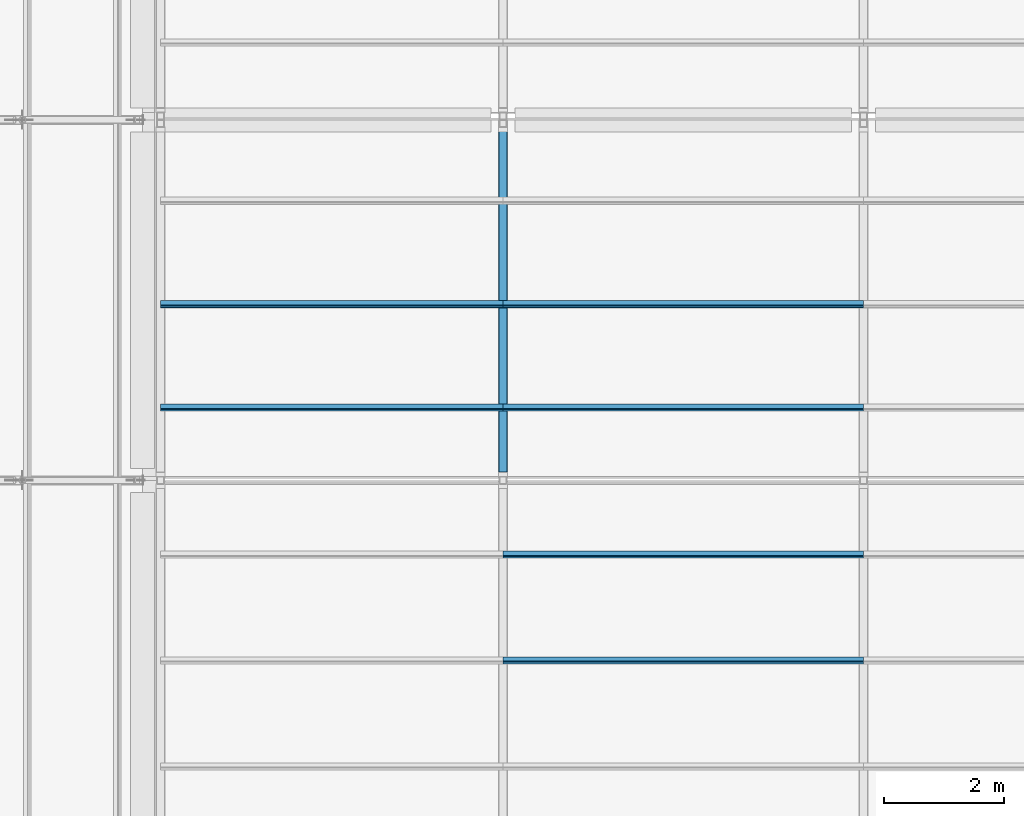
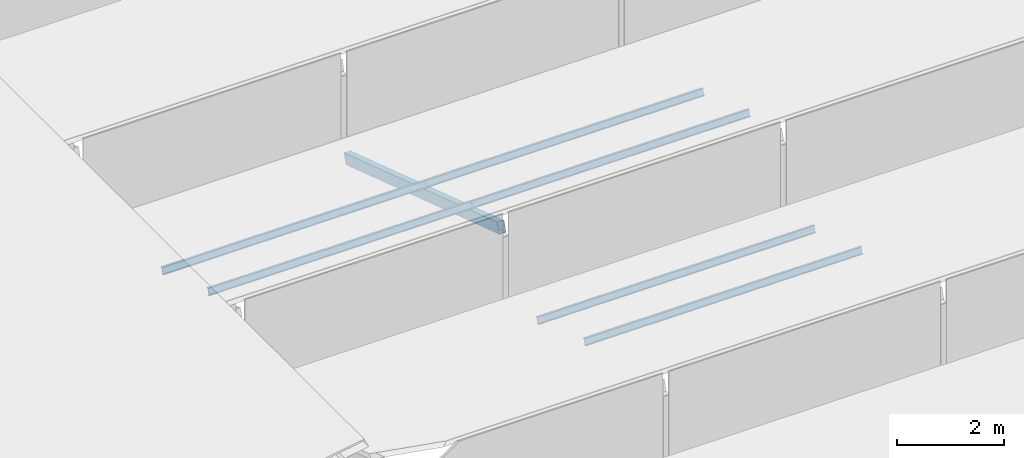
# One storey, part 6 of 118: 7 members.
"""IFC4 building model written with IfcOpenShell, lengths in metres."""

from ifc_helpers import new_model, si_unit, direction, frame, origin, origin_2d, place, context, subcontext, project, spatial, hollow_rectangle, i_section, extrude, material, material_profile, profile_set, type_object, element, save


model = new_model("IFC4")

# Units and contexts
model_context = context("Model", 3, precision=1e-05, world=origin(), true_north=direction((0.0, 1.0)))
body_context = subcontext(model_context, "Body", "Model", "MODEL_VIEW")
ifc_project = project(units=[si_unit("LENGTHUNIT", "METRE"), si_unit("AREAUNIT", "SQUARE_METRE"), si_unit("VOLUMEUNIT", "CUBIC_METRE"), si_unit("PLANEANGLEUNIT", "RADIAN"), si_unit("MASSUNIT", "GRAM", prefix="KILO")], contexts=[model_context])

# Site, building, storey
site_placement = place(None, origin())
site = spatial("IfcSite", under=ifc_project, at=site_placement, CompositionType="ELEMENT")
building_placement = place(site_placement, origin())
building = spatial("IfcBuilding", under=site, at=building_placement, Name="Saffron Lane Theatres", CompositionType="ELEMENT")
storey_placement = place(building_placement, frame((0.0, 0.0, 16.5)))
storey = spatial("IfcBuildingStorey", under=building, at=storey_placement, Name="L03", CompositionType="ELEMENT", Elevation=16.5)

# Members
ifc_material_1 = material(Name="Steel Grade 350", Category="steel")
ifc_material_profile_1 = material_profile(ifc_material_1, i_section(OverallWidth=0.074951171875, OverallDepth=0.155029296875, WebThickness=0.006103515625, FlangeThickness=0.009521484375, FilletRadius=0.008056640625, at=origin_2d()))
ifc_profile_set_1 = profile_set([ifc_material_profile_1], Name="Steel Grade 350")
member_type_1 = type_object("IfcMemberType", Name="ST-STUDIO PURLIN 150UB18.0", PredefinedType="PURLIN", material=ifc_profile_set_1)
for number, where, z_axis, x_axis, name in (
    (1, (12.0, 9.0, 2.01416015625), (1.0, 0.0, 0.0), (0.0, 0.949628648787, -0.313377455162), "GBU58"),
    (2, (12.0, 10.762451171875, 1.4326171875), (1.0, 0.0, 0.0), (0.0, 0.949628648787, -0.313377455162), "GBU62"),
):
    element("IfcMember", number, at=place(storey_placement, frame(where, z_axis=z_axis, x_axis=x_axis)), inside=storey, type_object=member_type_1, Name=name, PredefinedType="PURLIN", context=body_context, shape_type="SweptSolid", body=[
        extrude(i_section(OverallWidth=0.074951171875, OverallDepth=0.155029296875, WebThickness=0.006103515625, FlangeThickness=0.009521484375, FilletRadius=0.008056640625, at=origin_2d()), origin(), (0.0, 0.0, 1.0), 6.0),
    ])
member_1_placement = place(storey_placement, frame((6.300048828125, 13.2099609375, 2.60498046875), z_axis=(1.0, 0.0, 0.0), x_axis=(0.0, 0.949628648787, -0.313377455162)))
element("IfcMember", 3, at=member_1_placement, inside=storey, type_object=member_type_1, Name="GBU65", PredefinedType="PURLIN", context=body_context, shape_type="SweptSolid", body=[
    extrude(i_section(OverallWidth=0.074951171875, OverallDepth=0.155029296875, WebThickness=0.006103515625, FlangeThickness=0.009521484375, FilletRadius=0.008056640625, at=origin_2d()), origin(), (0.0, 0.0, 1.0), 5.699951171875),
])
member_2_placement = place(storey_placement, frame((12.0, 13.2099609375, 2.60498046875), z_axis=(1.0, 0.0, 0.0), x_axis=(0.0, 0.949628648787, -0.313377455162)))
element("IfcMember", 4, at=member_2_placement, inside=storey, type_object=member_type_1, Name="GBU66", PredefinedType="PURLIN", context=body_context, shape_type="SweptSolid", body=[
    extrude(i_section(OverallWidth=0.074951171875, OverallDepth=0.155029296875, WebThickness=0.006103515625, FlangeThickness=0.009521484375, FilletRadius=0.008056640625, at=origin_2d()), origin(), (0.0, 0.0, 1.0), 6.0),
])
member_3_placement = place(storey_placement, frame((6.300048828125, 14.93115234375, 2.036865234375), z_axis=(1.0, 0.0, 0.0), x_axis=(0.0, 0.949628648787, -0.313377455162)))
element("IfcMember", 5, at=member_3_placement, inside=storey, type_object=member_type_1, Name="GBU69", PredefinedType="PURLIN", context=body_context, shape_type="SweptSolid", body=[
    extrude(i_section(OverallWidth=0.074951171875, OverallDepth=0.155029296875, WebThickness=0.006103515625, FlangeThickness=0.009521484375, FilletRadius=0.008056640625, at=origin_2d()), origin(), (0.0, 0.0, 1.0), 5.699951171875),
])
member_4_placement = place(storey_placement, frame((12.0, 14.93115234375, 2.036865234375), z_axis=(1.0, 0.0, 0.0), x_axis=(0.0, 0.949628648787, -0.313377455162)))
element("IfcMember", 6, at=member_4_placement, inside=storey, type_object=member_type_1, Name="GBU70", PredefinedType="PURLIN", context=body_context, shape_type="SweptSolid", body=[
    extrude(i_section(OverallWidth=0.074951171875, OverallDepth=0.155029296875, WebThickness=0.006103515625, FlangeThickness=0.009521484375, FilletRadius=0.008056640625, at=origin_2d()), origin(), (0.0, 0.0, 1.0), 6.0),
])
ifc_material_2 = material(Name="Steel Grade 350", Category="steel")
ifc_material_profile_2 = material_profile(ifc_material_2, hollow_rectangle(XDim=0.14990234375, YDim=0.25, WallThickness=0.009033203125, InnerFilletRadius=0.00439453125, OuterFilletRadius=0.013427734375, at=origin_2d()))
ifc_profile_set_2 = profile_set([ifc_material_profile_2], Name="Steel Grade 350")
member_type_2 = type_object("IfcMemberType", Name="ST-STUDIO TRUSS CHORD 250x150x9 RHS", PredefinedType="CHORD", material=ifc_profile_set_2)
member_5_placement = place(storey_placement, frame((12.0, 12.1015625, 2.757568359375), z_axis=(0.0, 0.949629130372, -0.313375995807), x_axis=(-1.0, 0.0, 0.0)))
element("IfcMember", 7, at=member_5_placement, inside=storey, type_object=member_type_2, Name="GBC16", PredefinedType="CHORD", context=body_context, shape_type="SweptSolid", body=[
    extrude(hollow_rectangle(XDim=0.14990234375, YDim=0.25, WallThickness=0.009033203125, InnerFilletRadius=0.00439453125, OuterFilletRadius=0.013427734375, at=origin_2d()), origin(), (0.0, 0.0, 1.0), 6.03857421875),
])

save(model, "model.ifc")
